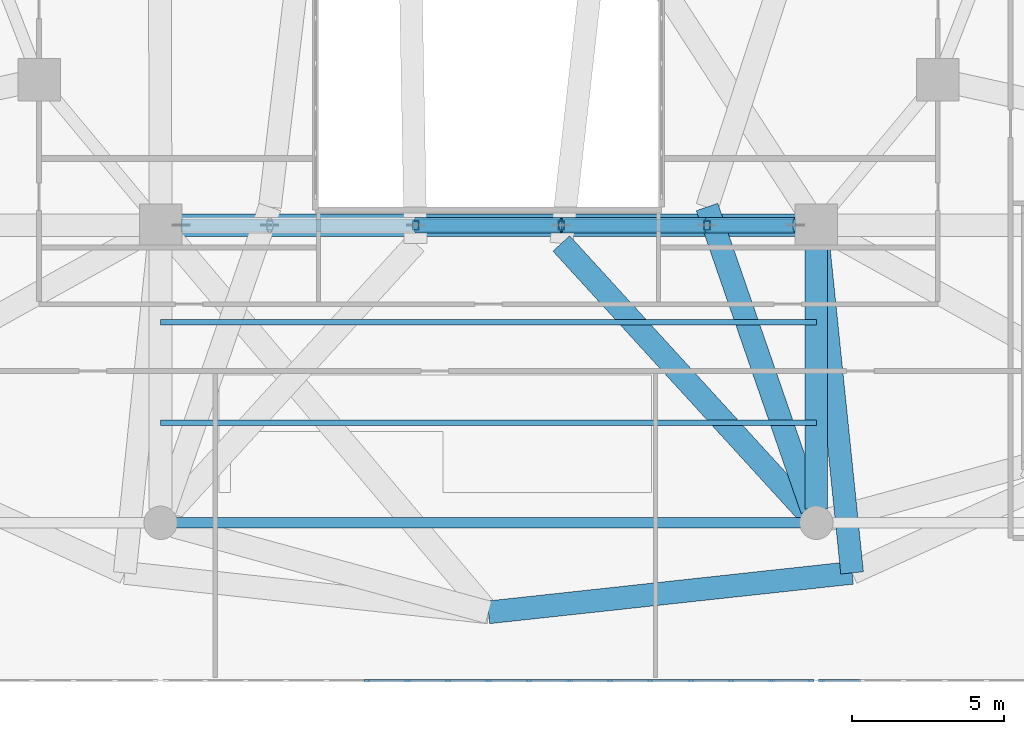
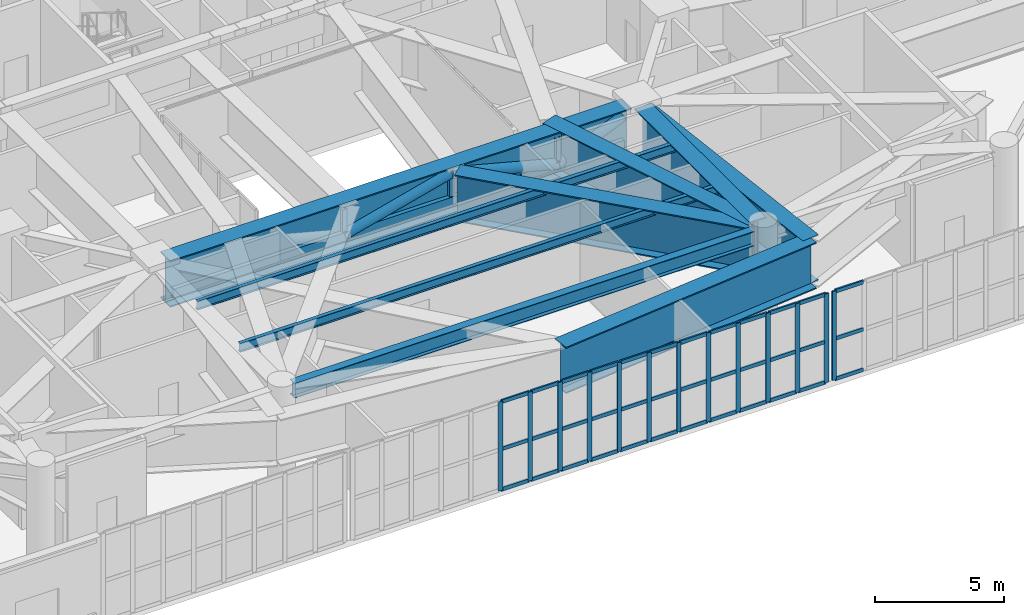
# One storey, part 6 of 26: 56 members, 9 beams, 2 elements without a shape of their own.
"""IFC4 building model written with IfcOpenShell, lengths in metres."""

import ifcopenshell
import ifcopenshell.guid

model = None  # the IFC model being written
_history = None  # IfcOwnerHistory: only IFC2X3 demands one
_inside = {}  # id of a spatial element -> (the spatial element, [elements in it])
_under = {}  # id of a project, library or spatial element -> (it, [spatial elements below it])
_declared = {}  # id of a project -> (the project, [libraries it declares])
_typed = {}  # id of a type object -> (the type object, [elements of that type])
_made_of = {}  # id of a material, layer set ... -> (it, [elements and type objects made of it])


def new_model(schema):
    """Start an empty IFC model of exactly this schema.

    Asked for "IFC4X3", IfcOpenShell would pick the latest addendum, in which some entities
    have other attributes; the version numbers below select the first issue.
    IFC2X3 requires an IfcOwnerHistory on every rooted entity: one is made here for all.
    """
    global model, _history
    if schema == "IFC4X3":
        model = ifcopenshell.file(schema_version=(4, 3, 0, 0))
    else:
        model = ifcopenshell.file(schema=schema)
    _inside.clear()
    _under.clear()
    _declared.clear()
    _typed.clear()
    _made_of.clear()
    _history = None
    if model.schema == "IFC2X3":
        org = make("IfcOrganization", Name="unknown")
        user = make(
            "IfcPersonAndOrganization",
            ThePerson=make("IfcPerson", FamilyName="unknown"),
            TheOrganization=org,
        )
        app = make(
            "IfcApplication",
            ApplicationDeveloper=org,
            Version="unknown",
            ApplicationFullName="unknown",
            ApplicationIdentifier="unknown",
        )
        _history = make(
            "IfcOwnerHistory",
            OwningUser=user,
            OwningApplication=app,
            ChangeAction="ADDED",
            CreationDate=0,
        )
    return model


def make(cls, **values):
    """One entity of the class cls with the attributes given. An attribute that is None is left unset."""
    return model.create_entity(
        cls, **{name: value for name, value in values.items() if value is not None}
    )


def rooted(cls, **values):
    """An entity with a GlobalId (a new one), such as an element, a storey or a relation."""
    return make(cls, GlobalId=ifcopenshell.guid.new(), OwnerHistory=_history, **values)


def si_unit(unit_type, name, prefix=None):
    """IfcSIUnit, for example si_unit("LENGTHUNIT", "METRE", prefix="MILLI")."""
    return make("IfcSIUnit", UnitType=unit_type, Prefix=prefix, Name=name)


def assignment(units):
    """IfcUnitAssignment: the units of a project."""
    return None if units is None else make("IfcUnitAssignment", Units=units)


def point(xyz):
    """IfcCartesianPoint."""
    return None if xyz is None else make("IfcCartesianPoint", Coordinates=xyz)


def direction(xyz):
    """IfcDirection."""
    return None if xyz is None else make("IfcDirection", DirectionRatios=xyz)


def frame(location, z_axis=None, x_axis=None):
    """IfcAxis2Placement3D, a coordinate frame: its origin and axes. An axis left out is left unset."""
    return make(
        "IfcAxis2Placement3D",
        Location=point(location),
        Axis=direction(z_axis),
        RefDirection=direction(x_axis),
    )


def frame_2d(location, x_axis=None):
    """IfcAxis2Placement2D, a coordinate frame in the plane: its origin and x axis."""
    return make(
        "IfcAxis2Placement2D", Location=point(location), RefDirection=direction(x_axis)
    )


def origin():
    """The frame at (0, 0, 0) with its axes left unset."""
    return frame((0.0, 0.0, 0.0))


def origin_2d():
    """The frame at (0, 0) in the plane with its x axis left unset."""
    return frame_2d((0.0, 0.0))


def place(relative_to, where):
    """IfcLocalPlacement: puts the frame where relative to a parent placement (None: the world)."""
    return make(
        "IfcLocalPlacement", PlacementRelTo=relative_to, RelativePlacement=where
    )


def context(
    kind, dimensions, precision=None, world=None, true_north=None, identifier=None
):
    """IfcGeometricRepresentationContext, for example the 3D "Model" context."""
    return make(
        "IfcGeometricRepresentationContext",
        ContextIdentifier=identifier,
        ContextType=kind,
        CoordinateSpaceDimension=dimensions,
        Precision=precision,
        WorldCoordinateSystem=world,
        TrueNorth=true_north,
    )


def subcontext(parent, identifier, kind, view, scale=None):
    """IfcGeometricRepresentationSubContext, for example "Body" below "Model"."""
    return make(
        "IfcGeometricRepresentationSubContext",
        ContextIdentifier=identifier,
        ContextType=kind,
        ParentContext=parent,
        TargetScale=scale,
        TargetView=view,
    )


def project(units=None, contexts=None):
    """IfcProject with its units and contexts."""
    return rooted(
        "IfcProject",
        Name="project",
        RepresentationContexts=contexts,
        UnitsInContext=assignment(units),
    )


def spatial(cls, under=None, at=None, **own):
    """A site, building, storey or space (cls), placed at a placement, below another one or the project."""
    s = rooted(cls, ObjectPlacement=at, **own)
    if under is not None:
        _under.setdefault(under.id(), (under, []))[1].append(s)
    return s


def profile(cls, at=None, kind="AREA", **sizes):
    """A parametric profile (cls). Its sizes go by their IFC names, for example OverallWidth=200.0."""
    return make(cls, ProfileType=kind, Position=at, **sizes)


def rectangle(**sizes):
    """IfcRectangleProfileDef."""
    return profile("IfcRectangleProfileDef", **sizes)


def hollow_rectangle(**sizes):
    """IfcRectangleHollowProfileDef."""
    return profile("IfcRectangleHollowProfileDef", **sizes)


def hollow_circle(**sizes):
    """IfcCircleHollowProfileDef."""
    return profile("IfcCircleHollowProfileDef", **sizes)


def i_section(**sizes):
    """IfcIShapeProfileDef."""
    return profile("IfcIShapeProfileDef", **sizes)


def extrude(swept, where, along, depth):
    """IfcExtrudedAreaSolid: the profile swept, set in the frame where, extruded along a direction by depth."""
    return make(
        "IfcExtrudedAreaSolid",
        SweptArea=swept,
        Position=where,
        ExtrudedDirection=direction(along),
        Depth=depth,
    )


def shape(context_of_items, identifier, shape_type, items):
    """IfcShapeRepresentation: the items that make up one representation, for example the "Body"."""
    return make(
        "IfcShapeRepresentation",
        ContextOfItems=context_of_items,
        RepresentationIdentifier=identifier,
        RepresentationType=shape_type,
        Items=items,
    )


def material(Name=None, Category=None):
    """IfcMaterial."""
    return make("IfcMaterial", Name=Name, Category=Category)


def material_profile(
    of_material, cross_section, Name=None, Category=None, Priority=None
):
    """IfcMaterialProfile: a cross section and its material."""
    return make(
        "IfcMaterialProfile",
        Name=Name,
        Material=of_material,
        Profile=cross_section,
        Priority=Priority,
        Category=Category,
    )


def profile_set(profiles, Name=None, composite=None):
    """IfcMaterialProfileSet."""
    return make(
        "IfcMaterialProfileSet",
        Name=Name,
        MaterialProfiles=profiles,
        CompositeProfile=composite,
    )


def made_of(thing, what):
    """Note that an element or type object is made of a material, layer set ...; save() writes the relation."""
    if what is not None:
        _made_of.setdefault(what.id(), (what, []))[1].append(thing)
    return thing


def type_object(cls, material=None, **own):
    """A type object (cls), such as IfcWallType, which elements share."""
    return made_of(rooted(cls, **own), material)


def element(
    cls,
    number,
    at=None,
    inside=None,
    cuts=None,
    type_object=None,
    material=None,
    context=None,
    identifier="Body",
    shape_type=None,
    held_by="IfcProductDefinitionShape",
    body=None,
    shapes=None,
    **own,
):
    """One element of the class cls, such as IfcWall. Its Tag is "e" and its number.

    at: its placement. inside: the storey or other place that contains it. cuts: it is an
    opening in that element (IfcRelVoidsElement). A single representation is given by context,
    identifier, shape_type and body (its items); several are given by shapes. held_by: the class
    of the entity that holds the representations. save() writes the other relations.
    """
    e = rooted(cls, Tag="e%d" % number, ObjectPlacement=at, **own)
    if body is not None:
        shapes = [shape(context, identifier, shape_type, body)]
    if shapes is not None:
        e.Representation = make(held_by, Representations=shapes)
    if inside is not None:
        _inside.setdefault(inside.id(), (inside, []))[1].append(e)
    if cuts is not None:
        rooted(
            "IfcRelVoidsElement", RelatingBuildingElement=cuts, RelatedOpeningElement=e
        )
    if type_object is not None:
        _typed.setdefault(type_object.id(), (type_object, []))[1].append(e)
    return made_of(e, material)


def aggregate(whole, parts):
    """IfcRelAggregates: a whole, such as a stair, and the parts it consists of."""
    return rooted("IfcRelAggregates", RelatingObject=whole, RelatedObjects=parts)


def save(model, path):
    """Write the relations noted so far, then the file.

    IfcRelAggregates (storeys below a building ...), IfcRelContainedInSpatialStructure (elements
    in a storey), IfcRelDefinesByType, IfcRelAssociatesMaterial and IfcRelDeclares: one each for
    every whole, place, type object, material and project.
    """
    for whole, parts in _under.values():
        aggregate(whole, parts)
    for where, things in _inside.values():
        rooted(
            "IfcRelContainedInSpatialStructure",
            RelatedElements=things,
            RelatingStructure=where,
        )
    for kind, things in _typed.values():
        rooted("IfcRelDefinesByType", RelatedObjects=things, RelatingType=kind)
    for what, things in _made_of.values():
        rooted("IfcRelAssociatesMaterial", RelatedObjects=things, RelatingMaterial=what)
    for by, libraries in _declared.values():
        rooted("IfcRelDeclares", RelatingContext=by, RelatedDefinitions=libraries)
    model.write(path)


model = new_model("IFC4")

# Units and contexts
model_context = context("Model", 3, precision=1e-05, world=origin(), true_north=direction((0.0, 1.0)))
body_context = subcontext(model_context, "Body", "Model", "MODEL_VIEW")
ifc_project = project(units=[si_unit("LENGTHUNIT", "METRE"), si_unit("AREAUNIT", "SQUARE_METRE"), si_unit("VOLUMEUNIT", "CUBIC_METRE"), si_unit("PLANEANGLEUNIT", "RADIAN"), si_unit("MASSUNIT", "GRAM", prefix="KILO")], contexts=[model_context])

# Site, building, storey
site_placement = place(None, origin())
site = spatial("IfcSite", under=ifc_project, at=site_placement, CompositionType="ELEMENT")
building_placement = place(site_placement, origin())
building = spatial("IfcBuilding", under=site, at=building_placement, Name="Haldorwick Loom Tower", CompositionType="ELEMENT")
storey_placement = place(building_placement, frame((0.0, 0.0, 19.5)))
storey = spatial("IfcBuildingStorey", under=building, at=storey_placement, Name="L04", CompositionType="ELEMENT", Elevation=19.5)

# Curtain wall, members
ifc_material_1 = material(Name="Thermally Broken Anodized Aluminium Curtain Wall Framing", Category="aluminium")
curtain_wall_type = type_object("IfcCurtainWallType", Name="ARC-CW-02", PredefinedType="NOTDEFINED", material=ifc_material_1)
curtain_wall_1_placement = place(storey_placement, origin())
curtain_wall_1 = element("IfcCurtainWall", 1, at=curtain_wall_1_placement, inside=storey, type_object=curtain_wall_type, Name="L04 Facade Curtain Wall CW-02 Bay 40", PredefinedType="NOTDEFINED")
ifc_material_profile_1 = material_profile(ifc_material_1, rectangle(XDim=0.070068359375, YDim=0.195068359375, at=origin_2d()), Name="ALU_MUL_70X195", Category="aluminium")
ifc_profile_set_1 = profile_set([ifc_material_profile_1], Name="Thermally Broken Anodized Aluminium Curtain Wall Framing")
member_type_1 = type_object("IfcMemberType", Name="ARC-CWM-02", PredefinedType="MULLION", material=ifc_profile_set_1)
member_1_placement = place(storey_placement, frame((32.00244140625, 0.0, 0.0), z_axis=(0.0, 0.0, 1.0), x_axis=(0.0, 1.0, 0.0)))
member_1 = element("IfcMember", 2, at=member_1_placement, type_object=member_type_1, Name="CW-02 mullion 6", PredefinedType="MULLION", context=body_context, shape_type="SweptSolid", body=[
    extrude(rectangle(XDim=0.070068359375, YDim=0.195068359375, at=origin_2d()), origin(), (0.0, 0.0, 1.0), 4.219970703125),
])
member_2_placement = place(storey_placement, frame((33.3349609375, 0.0, 0.0), z_axis=(0.0, 0.0, 1.0), x_axis=(0.0, 1.0, 0.0)))
member_2 = element("IfcMember", 3, at=member_2_placement, type_object=member_type_1, Name="CW-02 mullion 7", PredefinedType="MULLION", context=body_context, shape_type="SweptSolid", body=[
    extrude(rectangle(XDim=0.070068359375, YDim=0.195068359375, at=origin_2d()), origin(), (0.0, 0.0, 1.0), 4.219970703125),
])
member_3_placement = place(storey_placement, frame((34.66748046875, 0.0, 0.0), z_axis=(0.0, 0.0, 1.0), x_axis=(0.0, 1.0, 0.0)))
member_3 = element("IfcMember", 4, at=member_3_placement, type_object=member_type_1, Name="CW-02 mullion 8", PredefinedType="MULLION", context=body_context, shape_type="SweptSolid", body=[
    extrude(rectangle(XDim=0.070068359375, YDim=0.195068359375, at=origin_2d()), origin(), (0.0, 0.0, 1.0), 4.219970703125),
])
member_4_placement = place(storey_placement, frame((36.0, 0.0, 0.0), z_axis=(0.0, 0.0, 1.0), x_axis=(0.0, 1.0, 0.0)))
member_4 = element("IfcMember", 5, at=member_4_placement, type_object=member_type_1, Name="CW-02 mullion 9", PredefinedType="MULLION", context=body_context, shape_type="SweptSolid", body=[
    extrude(rectangle(XDim=0.070068359375, YDim=0.195068359375, at=origin_2d()), origin(), (0.0, 0.0, 1.0), 4.219970703125),
])
member_5_placement = place(storey_placement, frame((37.33251953125, 0.0, 0.0), z_axis=(0.0, 0.0, 1.0), x_axis=(0.0, 1.0, 0.0)))
member_5 = element("IfcMember", 6, at=member_5_placement, type_object=member_type_1, Name="CW-02 mullion 10", PredefinedType="MULLION", context=body_context, shape_type="SweptSolid", body=[
    extrude(rectangle(XDim=0.070068359375, YDim=0.195068359375, at=origin_2d()), origin(), (0.0, 0.0, 1.0), 4.219970703125),
])
member_6_placement = place(storey_placement, frame((38.6650390625, 0.0, 0.0), z_axis=(0.0, 0.0, 1.0), x_axis=(0.0, 1.0, 0.0)))
member_6 = element("IfcMember", 7, at=member_6_placement, type_object=member_type_1, Name="CW-02 mullion 11", PredefinedType="MULLION", context=body_context, shape_type="SweptSolid", body=[
    extrude(rectangle(XDim=0.070068359375, YDim=0.195068359375, at=origin_2d()), origin(), (0.0, 0.0, 1.0), 4.219970703125),
])
member_7_placement = place(storey_placement, frame((39.99755859375, 0.0, 0.0), z_axis=(0.0, 0.0, 1.0), x_axis=(0.0, 1.0, 0.0)))
member_7 = element("IfcMember", 8, at=member_7_placement, type_object=member_type_1, Name="CW-02 mullion 12", PredefinedType="MULLION", context=body_context, shape_type="SweptSolid", body=[
    extrude(rectangle(XDim=0.070068359375, YDim=0.195068359375, at=origin_2d()), origin(), (0.0, 0.0, 1.0), 4.219970703125),
])
member_8_placement = place(storey_placement, frame((41.330078125, 0.0, 0.0), z_axis=(0.0, 0.0, 1.0), x_axis=(0.0, 1.0, 0.0)))
member_8 = element("IfcMember", 9, at=member_8_placement, type_object=member_type_1, Name="CW-02 mullion 13", PredefinedType="MULLION", context=body_context, shape_type="SweptSolid", body=[
    extrude(rectangle(XDim=0.070068359375, YDim=0.195068359375, at=origin_2d()), origin(), (0.0, 0.0, 1.0), 4.219970703125),
])
member_9_placement = place(storey_placement, frame((42.66259765625, 0.0, 0.0), z_axis=(0.0, 0.0, 1.0), x_axis=(0.0, 1.0, 0.0)))
member_9 = element("IfcMember", 10, at=member_9_placement, type_object=member_type_1, Name="CW-02 mullion 14", PredefinedType="MULLION", context=body_context, shape_type="SweptSolid", body=[
    extrude(rectangle(XDim=0.070068359375, YDim=0.195068359375, at=origin_2d()), origin(), (0.0, 0.0, 1.0), 4.219970703125),
])
member_10_placement = place(storey_placement, frame((43.9951171875, 0.0, 0.0), z_axis=(0.0, 0.0, 1.0), x_axis=(0.0, 1.0, 0.0)))
member_10 = element("IfcMember", 11, at=member_10_placement, type_object=member_type_1, Name="CW-02 mullion 15", PredefinedType="MULLION", context=body_context, shape_type="SweptSolid", body=[
    extrude(rectangle(XDim=0.070068359375, YDim=0.195068359375, at=origin_2d()), origin(), (0.0, 0.0, 1.0), 4.219970703125),
])
member_11_placement = place(storey_placement, frame((45.327392578125, 0.0, 0.0), z_axis=(0.0, 0.0, 1.0), x_axis=(0.0, 1.0, 0.0)))
member_11 = element("IfcMember", 12, at=member_11_placement, type_object=member_type_1, Name="CW-02 mullion 16", PredefinedType="MULLION", context=body_context, shape_type="SweptSolid", body=[
    extrude(rectangle(XDim=0.070068359375, YDim=0.195068359375, at=origin_2d()), origin(), (0.0, 0.0, 1.0), 4.219970703125),
])
member_12_placement = place(storey_placement, frame((46.625, 0.0, 0.0), z_axis=(0.0, 0.0, 1.0), x_axis=(0.0, 1.0, 0.0)))
member_12 = element("IfcMember", 13, at=member_12_placement, type_object=member_type_1, Name="CW-02 mullion 17", PredefinedType="MULLION", context=body_context, shape_type="SweptSolid", body=[
    extrude(rectangle(XDim=0.070068359375, YDim=0.195068359375, at=origin_2d()), origin(), (0.0, 0.0, 1.0), 4.219970703125),
])

# Curtain wall, member
curtain_wall_2_placement = place(storey_placement, origin())
curtain_wall_2 = element("IfcCurtainWall", 14, at=curtain_wall_2_placement, inside=storey, type_object=curtain_wall_type, Name="L04 Facade Curtain Wall CW-02 Bay 41", PredefinedType="NOTDEFINED")
member_13_placement = place(storey_placement, frame((46.97509765625, 0.0, 0.0), z_axis=(0.0, 0.0, 1.0), x_axis=(0.0, 1.0, 0.0)))
member_13 = element("IfcMember", 15, at=member_13_placement, type_object=member_type_1, Name="CW-02 mullion 1", PredefinedType="MULLION", context=body_context, shape_type="SweptSolid", body=[
    extrude(rectangle(XDim=0.070068359375, YDim=0.195068359375, at=origin_2d()), origin(), (0.0, 0.0, 1.0), 4.219970703125),
])

# Member
ifc_material_profile_2 = material_profile(ifc_material_1, rectangle(XDim=0.070068359375, YDim=0.175048828125, at=origin_2d()), Name="ALU_TRN_70X175", Category="aluminium")
ifc_profile_set_2 = profile_set([ifc_material_profile_2], Name="Thermally Broken Anodized Aluminium Curtain Wall Framing")
member_type_2 = type_object("IfcMemberType", Name="ARC-CWT-02", PredefinedType="USERDEFINED", material=ifc_profile_set_2)
member_14_placement = place(storey_placement, frame((32.03759765625, 0.0, 0.034912109375), z_axis=(1.0, 0.0, 0.0), x_axis=(0.0, 1.0, 0.0)))
member_14 = element("IfcMember", 16, at=member_14_placement, type_object=member_type_2, Name="CW-02 transom 6.1", ObjectType="TRANSOM", PredefinedType="USERDEFINED", context=body_context, shape_type="SweptSolid", body=[
    extrude(rectangle(XDim=0.070068359375, YDim=0.175048828125, at=origin_2d()), origin(), (0.0, 0.0, 1.0), 1.262451171875),
])

member_15_placement = place(storey_placement, frame((32.03759765625, 0.0, 1.949951171875), z_axis=(1.0, 0.0, 0.0), x_axis=(0.0, 1.0, 0.0)))
member_15 = element("IfcMember", 17, at=member_15_placement, type_object=member_type_2, Name="CW-02 transom 6.2", ObjectType="TRANSOM", PredefinedType="USERDEFINED", context=body_context, shape_type="SweptSolid", body=[
    extrude(rectangle(XDim=0.070068359375, YDim=0.175048828125, at=origin_2d()), origin(), (0.0, 0.0, 1.0), 1.262451171875),
])

member_16_placement = place(storey_placement, frame((32.03759765625, 0.0, 4.18505859375), z_axis=(1.0, 0.0, 0.0), x_axis=(0.0, 1.0, 0.0)))
member_16 = element("IfcMember", 18, at=member_16_placement, type_object=member_type_2, Name="CW-02 transom 6.3", ObjectType="TRANSOM", PredefinedType="USERDEFINED", context=body_context, shape_type="SweptSolid", body=[
    extrude(rectangle(XDim=0.070068359375, YDim=0.175048828125, at=origin_2d()), origin(), (0.0, 0.0, 1.0), 1.262451171875),
])

member_17_placement = place(storey_placement, frame((33.3701171875, 0.0, 0.034912109375), z_axis=(1.0, 0.0, 0.0), x_axis=(0.0, 1.0, 0.0)))
member_17 = element("IfcMember", 19, at=member_17_placement, type_object=member_type_2, Name="CW-02 transom 7.1", ObjectType="TRANSOM", PredefinedType="USERDEFINED", context=body_context, shape_type="SweptSolid", body=[
    extrude(rectangle(XDim=0.070068359375, YDim=0.175048828125, at=origin_2d()), origin(), (0.0, 0.0, 1.0), 1.262451171875),
])

member_18_placement = place(storey_placement, frame((33.3701171875, 0.0, 1.949951171875), z_axis=(1.0, 0.0, 0.0), x_axis=(0.0, 1.0, 0.0)))
member_18 = element("IfcMember", 20, at=member_18_placement, type_object=member_type_2, Name="CW-02 transom 7.2", ObjectType="TRANSOM", PredefinedType="USERDEFINED", context=body_context, shape_type="SweptSolid", body=[
    extrude(rectangle(XDim=0.070068359375, YDim=0.175048828125, at=origin_2d()), origin(), (0.0, 0.0, 1.0), 1.262451171875),
])

member_19_placement = place(storey_placement, frame((33.3701171875, 0.0, 4.18505859375), z_axis=(1.0, 0.0, 0.0), x_axis=(0.0, 1.0, 0.0)))
member_19 = element("IfcMember", 21, at=member_19_placement, type_object=member_type_2, Name="CW-02 transom 7.3", ObjectType="TRANSOM", PredefinedType="USERDEFINED", context=body_context, shape_type="SweptSolid", body=[
    extrude(rectangle(XDim=0.070068359375, YDim=0.175048828125, at=origin_2d()), origin(), (0.0, 0.0, 1.0), 1.262451171875),
])

member_20_placement = place(storey_placement, frame((34.702392578125, 0.0, 0.034912109375), z_axis=(1.0, 0.0, 0.0), x_axis=(0.0, 1.0, 0.0)))
member_20 = element("IfcMember", 22, at=member_20_placement, type_object=member_type_2, Name="CW-02 transom 8.1", ObjectType="TRANSOM", PredefinedType="USERDEFINED", context=body_context, shape_type="SweptSolid", body=[
    extrude(rectangle(XDim=0.070068359375, YDim=0.175048828125, at=origin_2d()), origin(), (0.0, 0.0, 1.0), 1.2626953125),
])

member_21_placement = place(storey_placement, frame((34.702392578125, 0.0, 1.949951171875), z_axis=(1.0, 0.0, 0.0), x_axis=(0.0, 1.0, 0.0)))
member_21 = element("IfcMember", 23, at=member_21_placement, type_object=member_type_2, Name="CW-02 transom 8.2", ObjectType="TRANSOM", PredefinedType="USERDEFINED", context=body_context, shape_type="SweptSolid", body=[
    extrude(rectangle(XDim=0.070068359375, YDim=0.175048828125, at=origin_2d()), origin(), (0.0, 0.0, 1.0), 1.2626953125),
])

member_22_placement = place(storey_placement, frame((34.702392578125, 0.0, 4.18505859375), z_axis=(1.0, 0.0, 0.0), x_axis=(0.0, 1.0, 0.0)))
member_22 = element("IfcMember", 24, at=member_22_placement, type_object=member_type_2, Name="CW-02 transom 8.3", ObjectType="TRANSOM", PredefinedType="USERDEFINED", context=body_context, shape_type="SweptSolid", body=[
    extrude(rectangle(XDim=0.070068359375, YDim=0.175048828125, at=origin_2d()), origin(), (0.0, 0.0, 1.0), 1.2626953125),
])

member_23_placement = place(storey_placement, frame((36.034912109375, 0.0, 0.034912109375), z_axis=(1.0, 0.0, 0.0), x_axis=(0.0, 1.0, 0.0)))
member_23 = element("IfcMember", 25, at=member_23_placement, type_object=member_type_2, Name="CW-02 transom 9.1", ObjectType="TRANSOM", PredefinedType="USERDEFINED", context=body_context, shape_type="SweptSolid", body=[
    extrude(rectangle(XDim=0.070068359375, YDim=0.175048828125, at=origin_2d()), origin(), (0.0, 0.0, 1.0), 1.2626953125),
])

member_24_placement = place(storey_placement, frame((36.034912109375, 0.0, 1.949951171875), z_axis=(1.0, 0.0, 0.0), x_axis=(0.0, 1.0, 0.0)))
member_24 = element("IfcMember", 26, at=member_24_placement, type_object=member_type_2, Name="CW-02 transom 9.2", ObjectType="TRANSOM", PredefinedType="USERDEFINED", context=body_context, shape_type="SweptSolid", body=[
    extrude(rectangle(XDim=0.070068359375, YDim=0.175048828125, at=origin_2d()), origin(), (0.0, 0.0, 1.0), 1.2626953125),
])

member_25_placement = place(storey_placement, frame((36.034912109375, 0.0, 4.18505859375), z_axis=(1.0, 0.0, 0.0), x_axis=(0.0, 1.0, 0.0)))
member_25 = element("IfcMember", 27, at=member_25_placement, type_object=member_type_2, Name="CW-02 transom 9.3", ObjectType="TRANSOM", PredefinedType="USERDEFINED", context=body_context, shape_type="SweptSolid", body=[
    extrude(rectangle(XDim=0.070068359375, YDim=0.175048828125, at=origin_2d()), origin(), (0.0, 0.0, 1.0), 1.2626953125),
])

member_26_placement = place(storey_placement, frame((37.367431640625, 0.0, 0.034912109375), z_axis=(1.0, 0.0, 0.0), x_axis=(0.0, 1.0, 0.0)))
member_26 = element("IfcMember", 28, at=member_26_placement, type_object=member_type_2, Name="CW-02 transom 10.1", ObjectType="TRANSOM", PredefinedType="USERDEFINED", context=body_context, shape_type="SweptSolid", body=[
    extrude(rectangle(XDim=0.070068359375, YDim=0.175048828125, at=origin_2d()), origin(), (0.0, 0.0, 1.0), 1.262451171875),
])

member_27_placement = place(storey_placement, frame((37.367431640625, 0.0, 1.949951171875), z_axis=(1.0, 0.0, 0.0), x_axis=(0.0, 1.0, 0.0)))
member_27 = element("IfcMember", 29, at=member_27_placement, type_object=member_type_2, Name="CW-02 transom 10.2", ObjectType="TRANSOM", PredefinedType="USERDEFINED", context=body_context, shape_type="SweptSolid", body=[
    extrude(rectangle(XDim=0.070068359375, YDim=0.175048828125, at=origin_2d()), origin(), (0.0, 0.0, 1.0), 1.262451171875),
])

member_28_placement = place(storey_placement, frame((37.367431640625, 0.0, 4.18505859375), z_axis=(1.0, 0.0, 0.0), x_axis=(0.0, 1.0, 0.0)))
member_28 = element("IfcMember", 30, at=member_28_placement, type_object=member_type_2, Name="CW-02 transom 10.3", ObjectType="TRANSOM", PredefinedType="USERDEFINED", context=body_context, shape_type="SweptSolid", body=[
    extrude(rectangle(XDim=0.070068359375, YDim=0.175048828125, at=origin_2d()), origin(), (0.0, 0.0, 1.0), 1.262451171875),
])

member_29_placement = place(storey_placement, frame((38.699951171875, 0.0, 0.034912109375), z_axis=(1.0, 0.0, 0.0), x_axis=(0.0, 1.0, 0.0)))
member_29 = element("IfcMember", 31, at=member_29_placement, type_object=member_type_2, Name="CW-02 transom 11.1", ObjectType="TRANSOM", PredefinedType="USERDEFINED", context=body_context, shape_type="SweptSolid", body=[
    extrude(rectangle(XDim=0.070068359375, YDim=0.175048828125, at=origin_2d()), origin(), (0.0, 0.0, 1.0), 1.262451171875),
])

member_30_placement = place(storey_placement, frame((38.699951171875, 0.0, 1.949951171875), z_axis=(1.0, 0.0, 0.0), x_axis=(0.0, 1.0, 0.0)))
member_30 = element("IfcMember", 32, at=member_30_placement, type_object=member_type_2, Name="CW-02 transom 11.2", ObjectType="TRANSOM", PredefinedType="USERDEFINED", context=body_context, shape_type="SweptSolid", body=[
    extrude(rectangle(XDim=0.070068359375, YDim=0.175048828125, at=origin_2d()), origin(), (0.0, 0.0, 1.0), 1.262451171875),
])

member_31_placement = place(storey_placement, frame((38.699951171875, 0.0, 4.18505859375), z_axis=(1.0, 0.0, 0.0), x_axis=(0.0, 1.0, 0.0)))
member_31 = element("IfcMember", 33, at=member_31_placement, type_object=member_type_2, Name="CW-02 transom 11.3", ObjectType="TRANSOM", PredefinedType="USERDEFINED", context=body_context, shape_type="SweptSolid", body=[
    extrude(rectangle(XDim=0.070068359375, YDim=0.175048828125, at=origin_2d()), origin(), (0.0, 0.0, 1.0), 1.262451171875),
])

member_32_placement = place(storey_placement, frame((40.032470703125, 0.0, 0.034912109375), z_axis=(1.0, 0.0, 0.0), x_axis=(0.0, 1.0, 0.0)))
member_32 = element("IfcMember", 34, at=member_32_placement, type_object=member_type_2, Name="CW-02 transom 12.1", ObjectType="TRANSOM", PredefinedType="USERDEFINED", context=body_context, shape_type="SweptSolid", body=[
    extrude(rectangle(XDim=0.070068359375, YDim=0.175048828125, at=origin_2d()), origin(), (0.0, 0.0, 1.0), 1.262451171875),
])

member_33_placement = place(storey_placement, frame((40.032470703125, 0.0, 1.949951171875), z_axis=(1.0, 0.0, 0.0), x_axis=(0.0, 1.0, 0.0)))
member_33 = element("IfcMember", 35, at=member_33_placement, type_object=member_type_2, Name="CW-02 transom 12.2", ObjectType="TRANSOM", PredefinedType="USERDEFINED", context=body_context, shape_type="SweptSolid", body=[
    extrude(rectangle(XDim=0.070068359375, YDim=0.175048828125, at=origin_2d()), origin(), (0.0, 0.0, 1.0), 1.262451171875),
])

member_34_placement = place(storey_placement, frame((40.032470703125, 0.0, 4.18505859375), z_axis=(1.0, 0.0, 0.0), x_axis=(0.0, 1.0, 0.0)))
member_34 = element("IfcMember", 36, at=member_34_placement, type_object=member_type_2, Name="CW-02 transom 12.3", ObjectType="TRANSOM", PredefinedType="USERDEFINED", context=body_context, shape_type="SweptSolid", body=[
    extrude(rectangle(XDim=0.070068359375, YDim=0.175048828125, at=origin_2d()), origin(), (0.0, 0.0, 1.0), 1.262451171875),
])

member_35_placement = place(storey_placement, frame((41.364990234375, 0.0, 0.034912109375), z_axis=(1.0, 0.0, 0.0), x_axis=(0.0, 1.0, 0.0)))
member_35 = element("IfcMember", 37, at=member_35_placement, type_object=member_type_2, Name="CW-02 transom 13.1", ObjectType="TRANSOM", PredefinedType="USERDEFINED", context=body_context, shape_type="SweptSolid", body=[
    extrude(rectangle(XDim=0.070068359375, YDim=0.175048828125, at=origin_2d()), origin(), (0.0, 0.0, 1.0), 1.262451171875),
])

member_36_placement = place(storey_placement, frame((41.364990234375, 0.0, 1.949951171875), z_axis=(1.0, 0.0, 0.0), x_axis=(0.0, 1.0, 0.0)))
member_36 = element("IfcMember", 38, at=member_36_placement, type_object=member_type_2, Name="CW-02 transom 13.2", ObjectType="TRANSOM", PredefinedType="USERDEFINED", context=body_context, shape_type="SweptSolid", body=[
    extrude(rectangle(XDim=0.070068359375, YDim=0.175048828125, at=origin_2d()), origin(), (0.0, 0.0, 1.0), 1.262451171875),
])

member_37_placement = place(storey_placement, frame((41.364990234375, 0.0, 4.18505859375), z_axis=(1.0, 0.0, 0.0), x_axis=(0.0, 1.0, 0.0)))
member_37 = element("IfcMember", 39, at=member_37_placement, type_object=member_type_2, Name="CW-02 transom 13.3", ObjectType="TRANSOM", PredefinedType="USERDEFINED", context=body_context, shape_type="SweptSolid", body=[
    extrude(rectangle(XDim=0.070068359375, YDim=0.175048828125, at=origin_2d()), origin(), (0.0, 0.0, 1.0), 1.262451171875),
])

member_38_placement = place(storey_placement, frame((42.697509765625, 0.0, 0.034912109375), z_axis=(1.0, 0.0, 0.0), x_axis=(0.0, 1.0, 0.0)))
member_38 = element("IfcMember", 40, at=member_38_placement, type_object=member_type_2, Name="CW-02 transom 14.1", ObjectType="TRANSOM", PredefinedType="USERDEFINED", context=body_context, shape_type="SweptSolid", body=[
    extrude(rectangle(XDim=0.070068359375, YDim=0.175048828125, at=origin_2d()), origin(), (0.0, 0.0, 1.0), 1.262451171875),
])

member_39_placement = place(storey_placement, frame((42.697509765625, 0.0, 1.949951171875), z_axis=(1.0, 0.0, 0.0), x_axis=(0.0, 1.0, 0.0)))
member_39 = element("IfcMember", 41, at=member_39_placement, type_object=member_type_2, Name="CW-02 transom 14.2", ObjectType="TRANSOM", PredefinedType="USERDEFINED", context=body_context, shape_type="SweptSolid", body=[
    extrude(rectangle(XDim=0.070068359375, YDim=0.175048828125, at=origin_2d()), origin(), (0.0, 0.0, 1.0), 1.262451171875),
])

member_40_placement = place(storey_placement, frame((42.697509765625, 0.0, 4.18505859375), z_axis=(1.0, 0.0, 0.0), x_axis=(0.0, 1.0, 0.0)))
member_40 = element("IfcMember", 42, at=member_40_placement, type_object=member_type_2, Name="CW-02 transom 14.3", ObjectType="TRANSOM", PredefinedType="USERDEFINED", context=body_context, shape_type="SweptSolid", body=[
    extrude(rectangle(XDim=0.070068359375, YDim=0.175048828125, at=origin_2d()), origin(), (0.0, 0.0, 1.0), 1.262451171875),
])

member_41_placement = place(storey_placement, frame((44.030029296875, 0.0, 0.034912109375), z_axis=(1.0, 0.0, 0.0), x_axis=(0.0, 1.0, 0.0)))
member_41 = element("IfcMember", 43, at=member_41_placement, type_object=member_type_2, Name="CW-02 transom 15.1", ObjectType="TRANSOM", PredefinedType="USERDEFINED", context=body_context, shape_type="SweptSolid", body=[
    extrude(rectangle(XDim=0.070068359375, YDim=0.175048828125, at=origin_2d()), origin(), (0.0, 0.0, 1.0), 1.262451171875),
])

member_42_placement = place(storey_placement, frame((44.030029296875, 0.0, 1.949951171875), z_axis=(1.0, 0.0, 0.0), x_axis=(0.0, 1.0, 0.0)))
member_42 = element("IfcMember", 44, at=member_42_placement, type_object=member_type_2, Name="CW-02 transom 15.2", ObjectType="TRANSOM", PredefinedType="USERDEFINED", context=body_context, shape_type="SweptSolid", body=[
    extrude(rectangle(XDim=0.070068359375, YDim=0.175048828125, at=origin_2d()), origin(), (0.0, 0.0, 1.0), 1.262451171875),
])

member_43_placement = place(storey_placement, frame((44.030029296875, 0.0, 4.18505859375), z_axis=(1.0, 0.0, 0.0), x_axis=(0.0, 1.0, 0.0)))
member_43 = element("IfcMember", 45, at=member_43_placement, type_object=member_type_2, Name="CW-02 transom 15.3", ObjectType="TRANSOM", PredefinedType="USERDEFINED", context=body_context, shape_type="SweptSolid", body=[
    extrude(rectangle(XDim=0.070068359375, YDim=0.175048828125, at=origin_2d()), origin(), (0.0, 0.0, 1.0), 1.262451171875),
])

member_44_placement = place(storey_placement, frame((45.362548828125, 0.0, 0.034912109375), z_axis=(1.0, 0.0, 0.0), x_axis=(0.0, 1.0, 0.0)))
member_44 = element("IfcMember", 46, at=member_44_placement, type_object=member_type_2, Name="CW-02 transom 16.1", ObjectType="TRANSOM", PredefinedType="USERDEFINED", context=body_context, shape_type="SweptSolid", body=[
    extrude(rectangle(XDim=0.070068359375, YDim=0.175048828125, at=origin_2d()), origin(), (0.0, 0.0, 1.0), 1.2275390625),
])

member_45_placement = place(storey_placement, frame((45.362548828125, 0.0, 1.949951171875), z_axis=(1.0, 0.0, 0.0), x_axis=(0.0, 1.0, 0.0)))
member_45 = element("IfcMember", 47, at=member_45_placement, type_object=member_type_2, Name="CW-02 transom 16.2", ObjectType="TRANSOM", PredefinedType="USERDEFINED", context=body_context, shape_type="SweptSolid", body=[
    extrude(rectangle(XDim=0.070068359375, YDim=0.175048828125, at=origin_2d()), origin(), (0.0, 0.0, 1.0), 1.2275390625),
])

member_46_placement = place(storey_placement, frame((45.362548828125, 0.0, 4.18505859375), z_axis=(1.0, 0.0, 0.0), x_axis=(0.0, 1.0, 0.0)))
member_46 = element("IfcMember", 48, at=member_46_placement, type_object=member_type_2, Name="CW-02 transom 16.3", ObjectType="TRANSOM", PredefinedType="USERDEFINED", context=body_context, shape_type="SweptSolid", body=[
    extrude(rectangle(XDim=0.070068359375, YDim=0.175048828125, at=origin_2d()), origin(), (0.0, 0.0, 1.0), 1.2275390625),
])

aggregate(curtain_wall_1, [member_1, member_2, member_3, member_4, member_5, member_6, member_7, member_8, member_9, member_10, member_11, member_12, member_14, member_15, member_16, member_17, member_18, member_19, member_20, member_21, member_22, member_23, member_24, member_25, member_26, member_27, member_28, member_29, member_30, member_31, member_32, member_33, member_34, member_35, member_36, member_37, member_38, member_39, member_40, member_41, member_42, member_43, member_44, member_45, member_46])

member_47_placement = place(storey_placement, frame((47.010009765625, 0.0, 0.034912109375), z_axis=(1.0, 0.0, 0.0), x_axis=(0.0, 1.0, 0.0)))
member_47 = element("IfcMember", 49, at=member_47_placement, type_object=member_type_2, Name="CW-02 transom 1.1", ObjectType="TRANSOM", PredefinedType="USERDEFINED", context=body_context, shape_type="SweptSolid", body=[
    extrude(rectangle(XDim=0.070068359375, YDim=0.175048828125, at=origin_2d()), origin(), (0.0, 0.0, 1.0), 1.260009765625),
])

member_48_placement = place(storey_placement, frame((47.010009765625, 0.0, 1.949951171875), z_axis=(1.0, 0.0, 0.0), x_axis=(0.0, 1.0, 0.0)))
member_48 = element("IfcMember", 50, at=member_48_placement, type_object=member_type_2, Name="CW-02 transom 1.2", ObjectType="TRANSOM", PredefinedType="USERDEFINED", context=body_context, shape_type="SweptSolid", body=[
    extrude(rectangle(XDim=0.070068359375, YDim=0.175048828125, at=origin_2d()), origin(), (0.0, 0.0, 1.0), 1.260009765625),
])

member_49_placement = place(storey_placement, frame((47.010009765625, 0.0, 4.18505859375), z_axis=(1.0, 0.0, 0.0), x_axis=(0.0, 1.0, 0.0)))
member_49 = element("IfcMember", 51, at=member_49_placement, type_object=member_type_2, Name="CW-02 transom 1.3", ObjectType="TRANSOM", PredefinedType="USERDEFINED", context=body_context, shape_type="SweptSolid", body=[
    extrude(rectangle(XDim=0.070068359375, YDim=0.175048828125, at=origin_2d()), origin(), (0.0, 0.0, 1.0), 1.260009765625),
])

aggregate(curtain_wall_2, [member_13, member_47, member_48, member_49])

# Beams
ifc_material_2 = material(Name="Steel CSA G40.21 350W", Category="steel")
ifc_material_profile_3 = material_profile(ifc_material_2, i_section(OverallWidth=0.179931640625, OverallDepth=0.4130859375, WebThickness=0.009765625, FlangeThickness=0.01611328125, at=origin_2d()), Name="W410X74", Category="steel")
ifc_profile_set_3 = profile_set([ifc_material_profile_3], Name="Steel CSA G40.21 350W")
beam_type_1 = type_object("IfcBeamType", Name="STR-BM-J410", PredefinedType="JOIST", material=ifc_profile_set_3)
for number, where, z_axis, x_axis, name in (
    (52, (25.199951171875, 8.5, 4.013427734375), (1.0, 0.0, 0.0), (0.0, 1.0, 0.0), "L04 Podium Secondary Joist PJ-S1"),
    (53, (25.199951171875, 11.800048828125, 4.013427734375), (1.0, 0.0, 0.0), (0.0, 1.0, 0.0), "L04 Podium Secondary Joist PJ-S2"),
):
    element("IfcBeam", number, at=place(storey_placement, frame(where, z_axis=z_axis, x_axis=x_axis)), inside=storey, type_object=beam_type_1, Name=name, PredefinedType="JOIST", context=body_context, shape_type="SweptSolid", body=[
        extrude(i_section(OverallWidth=0.179931640625, OverallDepth=0.4130859375, WebThickness=0.009765625, FlangeThickness=0.01611328125, at=origin_2d()), origin(), (0.0, 0.0, 1.0), 21.60009765625),
    ])
ifc_material_profile_4 = material_profile(ifc_material_2, i_section(OverallWidth=0.35498046875, OverallDepth=0.695068359375, WebThickness=0.015380859375, FlangeThickness=0.02490234375, at=origin_2d()), Name="W690X217", Category="steel")
ifc_profile_set_4 = profile_set([ifc_material_profile_4], Name="Steel CSA G40.21 350W")
beam_type_2 = type_object("IfcBeamType", Name="STR-BM-SP690", PredefinedType="SPANDREL", material=ifc_profile_set_4)
beam_1_placement = place(storey_placement, frame((25.679931640625, 5.199951171875, 3.87255859375), z_axis=(1.0, 0.0, 0.0), x_axis=(0.0, 1.0, 0.0)))
element("IfcBeam", 54, at=beam_1_placement, inside=storey, type_object=beam_type_2, Name="L04 Podium Spandrel PSP-S3", PredefinedType="SPANDREL", context=body_context, shape_type="SweptSolid", body=[
    extrude(i_section(OverallWidth=0.35498046875, OverallDepth=0.695068359375, WebThickness=0.015380859375, FlangeThickness=0.02490234375, at=origin_2d()), origin(), (0.0, 0.0, 1.0), 20.64013671875),
])
ifc_material_3 = material(Name="Steel CSA G40.21 350WT", Category="steel")
ifc_material_profile_5 = material_profile(ifc_material_3, i_section(OverallWidth=0.75, OverallDepth=2.199951171875, WebThickness=0.030029296875, FlangeThickness=0.054931640625, at=origin_2d()), Name="WWF2200X750", Category="steel")
ifc_profile_set_5 = profile_set([ifc_material_profile_5], Name="Steel CSA G40.21 350WT")
beam_type_3 = type_object("IfcBeamType", Name="STR-BM-TG2200", PredefinedType="BEAM", material=ifc_profile_set_5)
beam_2_placement = place(storey_placement, frame((46.800048828125, 5.64990234375, 3.1201171875), z_axis=(0.0, 1.0, 0.0), x_axis=(-1.0, 0.0, 0.0)))
element("IfcBeam", 55, at=beam_2_placement, inside=storey, type_object=beam_type_3, Name="L04 Podium Primary Girder PG-02", PredefinedType="BEAM", context=body_context, shape_type="SweptSolid", body=[
    extrude(i_section(OverallWidth=0.75, OverallDepth=2.199951171875, WebThickness=0.030029296875, FlangeThickness=0.054931640625, at=origin_2d()), origin(), (0.0, 0.0, 1.0), 8.900146484375),
])
beam_3_placement = place(storey_placement, frame((25.64990234375, 15.0, 3.1201171875), z_axis=(1.0, 0.0, 0.0), x_axis=(0.0, 1.0, 0.0)))
element("IfcBeam", 56, at=beam_3_placement, inside=storey, type_object=beam_type_3, Name="L04 Podium Primary Girder PG-03", PredefinedType="BEAM", context=body_context, shape_type="SweptSolid", body=[
    extrude(i_section(OverallWidth=0.75, OverallDepth=2.199951171875, WebThickness=0.030029296875, FlangeThickness=0.054931640625, at=origin_2d()), origin(), (0.0, 0.0, 1.0), 20.7001953125),
])
beam_4_placement = place(storey_placement, frame((46.84619140625, 14.552490234375, 3.1201171875), z_axis=(0.102329061132, -0.994750603542, 0.0), x_axis=(0.994750603542, 0.102329061132, 0.0)))
element("IfcBeam", 57, at=beam_4_placement, inside=storey, type_object=beam_type_3, Name="L04 Radial Transfer Girder 14 Inner", PredefinedType="BEAM", context=body_context, shape_type="SweptSolid", body=[
    extrude(i_section(OverallWidth=0.75, OverallDepth=2.199951171875, WebThickness=0.030029296875, FlangeThickness=0.054931640625, at=origin_2d()), origin(), (0.0, 0.0, 1.0), 11.060791015625),
])
beam_5_placement = place(storey_placement, frame((36.0, 2.25, 3.1201171875), z_axis=(0.994163660215, 0.107882420753, 0.0), x_axis=(-0.107882420753, 0.994163660215, 0.0)))
element("IfcBeam", 58, at=beam_5_placement, inside=storey, type_object=beam_type_3, Name="L04 South Tower Perimeter Ring Transfer Girder 3", PredefinedType="BEAM", context=body_context, shape_type="SweptSolid", body=[
    extrude(i_section(OverallWidth=0.75, OverallDepth=2.199951171875, WebThickness=0.030029296875, FlangeThickness=0.054931640625, at=origin_2d()), origin(), (0.0, 0.0, 1.0), 12.04833984375),
])
beam_6_placement = place(storey_placement, frame((38.39990234375, 14.39990234375, 3.1201171875), z_axis=(0.67427418488, -0.738481092245, 0.0), x_axis=(0.738481092245, 0.67427418488, 0.0)))
element("IfcBeam", 59, at=beam_6_placement, inside=storey, type_object=beam_type_3, Name="L04 Concourse Transfer Cross Girder 3B", PredefinedType="BEAM", context=body_context, shape_type="SweptSolid", body=[
    extrude(i_section(OverallWidth=0.75, OverallDepth=2.199951171875, WebThickness=0.030029296875, FlangeThickness=0.054931640625, at=origin_2d()), origin(), (0.0, 0.0, 1.0), 12.008056640625),
])
beam_7_placement = place(storey_placement, frame((43.199951171875, 15.60009765625, 3.1201171875), z_axis=(0.327114535849, -0.94498469852, 0.0), x_axis=(0.94498469852, 0.327114535849, 0.0)))
element("IfcBeam", 60, at=beam_7_placement, inside=storey, type_object=beam_type_3, Name="L04 Concourse Transfer Cross Girder 4B", PredefinedType="BEAM", context=body_context, shape_type="SweptSolid", body=[
    extrude(i_section(OverallWidth=0.75, OverallDepth=2.199951171875, WebThickness=0.030029296875, FlangeThickness=0.054931640625, at=origin_2d()), origin(), (0.0, 0.0, 1.0), 10.5556640625),
])

# Members
ifc_material_profile_6 = material_profile(ifc_material_2, hollow_circle(Radius=0.25390625, WallThickness=0.015869140625, at=origin_2d()), Name="HSS508X16", Category="steel")
ifc_profile_set_6 = profile_set([ifc_material_profile_6], Name="Steel CSA G40.21 350W")
member_type_3 = type_object("IfcMemberType", Name="STR-MEM-BR508", PredefinedType="BRACE", material=ifc_profile_set_6)
member_50_placement = place(storey_placement, frame((33.60009765625, 15.0, 2.47998046875), z_axis=(0.967227944838, 0.0, 0.25390963496), x_axis=(0.0, 1.0, 0.0)))
element("IfcMember", 61, at=member_50_placement, inside=storey, type_object=member_type_3, Name="L04 Station Transfer Truss Web Diagonal 3", PredefinedType="BRACE", context=body_context, shape_type="SweptSolid", body=[
    extrude(hollow_circle(Radius=0.25390625, WallThickness=0.015869140625, at=origin_2d()), origin(), (0.0, 0.0, 1.0), 4.96240234375),
])
member_51_placement = place(storey_placement, frame((38.39990234375, 15.0, 3.739990234375), z_axis=(0.967231116396, 0.0, -0.253897553111), x_axis=(0.0, 1.0, 0.0)))
element("IfcMember", 62, at=member_51_placement, inside=storey, type_object=member_type_3, Name="L04 Station Transfer Truss Web Diagonal 4", PredefinedType="BRACE", context=body_context, shape_type="SweptSolid", body=[
    extrude(hollow_circle(Radius=0.25390625, WallThickness=0.015869140625, at=origin_2d()), origin(), (0.0, 0.0, 1.0), 4.962646484375),
])
member_52_placement = place(storey_placement, frame((43.199951171875, 15.0, 2.47998046875), z_axis=(0.918173436361, 0.0, 0.396178672775), x_axis=(0.0, 1.0, 0.0)))
element("IfcMember", 63, at=member_52_placement, inside=storey, type_object=member_type_3, Name="L04 Station Transfer Truss Web Diagonal 5", PredefinedType="BRACE", context=body_context, shape_type="SweptSolid", body=[
    extrude(hollow_circle(Radius=0.25390625, WallThickness=0.015869140625, at=origin_2d()), origin(), (0.0, 0.0, 1.0), 3.180419921875),
])
ifc_material_profile_7 = material_profile(ifc_material_2, hollow_rectangle(XDim=0.406494140625, YDim=0.406494140625, WallThickness=0.015869140625, at=origin_2d()), Name="HSS406X406X16", Category="steel")
ifc_profile_set_7 = profile_set([ifc_material_profile_7], Name="Steel CSA G40.21 350W")
member_type_4 = type_object("IfcMemberType", Name="STR-MEM-CH406", PredefinedType="CHORD", material=ifc_profile_set_7)
member_53_placement = place(storey_placement, frame((25.8798828125, 15.0, 2.47998046875), z_axis=(1.0, 0.0, 0.0), x_axis=(0.0, 1.0, 0.0)))
element("IfcMember", 64, at=member_53_placement, inside=storey, type_object=member_type_4, Name="L04 Station Transfer Truss Bottom Chord", PredefinedType="CHORD", context=body_context, shape_type="SweptSolid", body=[
    extrude(hollow_rectangle(XDim=0.406494140625, YDim=0.406494140625, WallThickness=0.015869140625, at=origin_2d()), origin(), (0.0, 0.0, 1.0), 20.240234375),
])
ifc_material_profile_8 = material_profile(ifc_material_2, hollow_rectangle(XDim=0.203125, YDim=0.3046875, WallThickness=0.0126953125, at=origin_2d()), Name="HSS305X203X13", Category="steel")
ifc_profile_set_8 = profile_set([ifc_material_profile_8], Name="Steel CSA G40.21 350W")
member_type_5 = type_object("IfcMemberType", Name="STR-MEM-ST305R", PredefinedType="STRUT", material=ifc_profile_set_8)
for number, where, z_axis, x_axis, name in (
    (65, (33.60009765625, 15.0, 2.47998046875), (0.0, 0.0, 1.0), (1.0, 0.0, 0.0), "L04 Station Transfer Truss Post 2"),
    (66, (38.39990234375, 15.0, 2.47998046875), (0.0, 0.0, 1.0), (1.0, 0.0, 0.0), "L04 Station Transfer Truss Post 3"),
    (67, (43.199951171875, 15.0, 2.47998046875), (0.0, 0.0, 1.0), (1.0, 0.0, 0.0), "L04 Station Transfer Truss Post 4"),
):
    element("IfcMember", number, at=place(storey_placement, frame(where, z_axis=z_axis, x_axis=x_axis)), inside=storey, type_object=member_type_5, Name=name, PredefinedType="STRUT", context=body_context, shape_type="SweptSolid", body=[
        extrude(hollow_rectangle(XDim=0.203125, YDim=0.3046875, WallThickness=0.0126953125, at=origin_2d()), origin(), (0.0, 0.0, 1.0), 1.260009765625),
    ])

save(model, "model.ifc")
